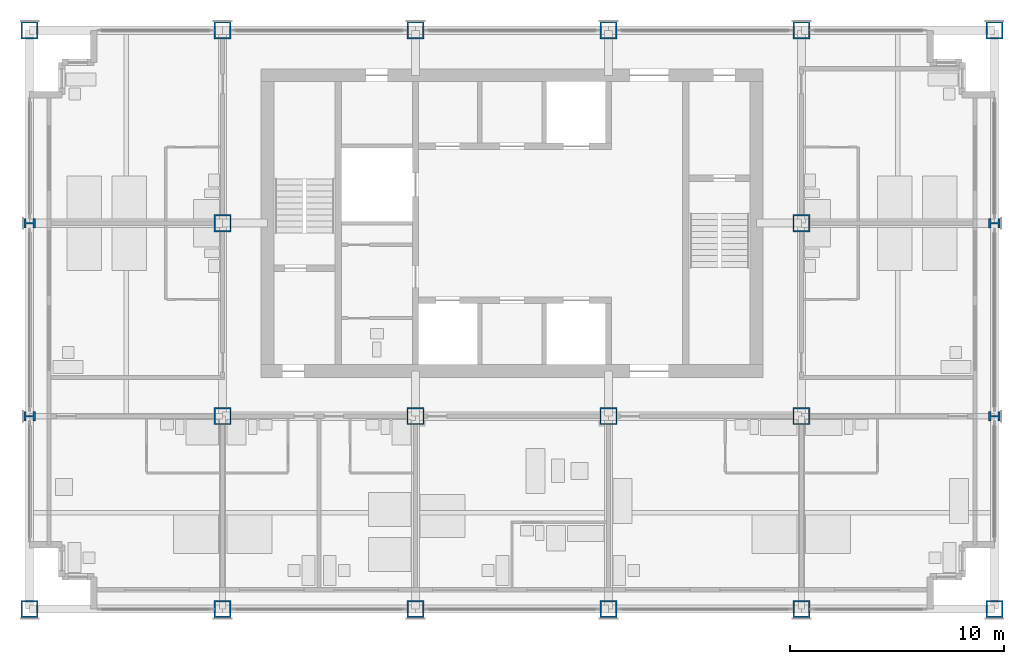
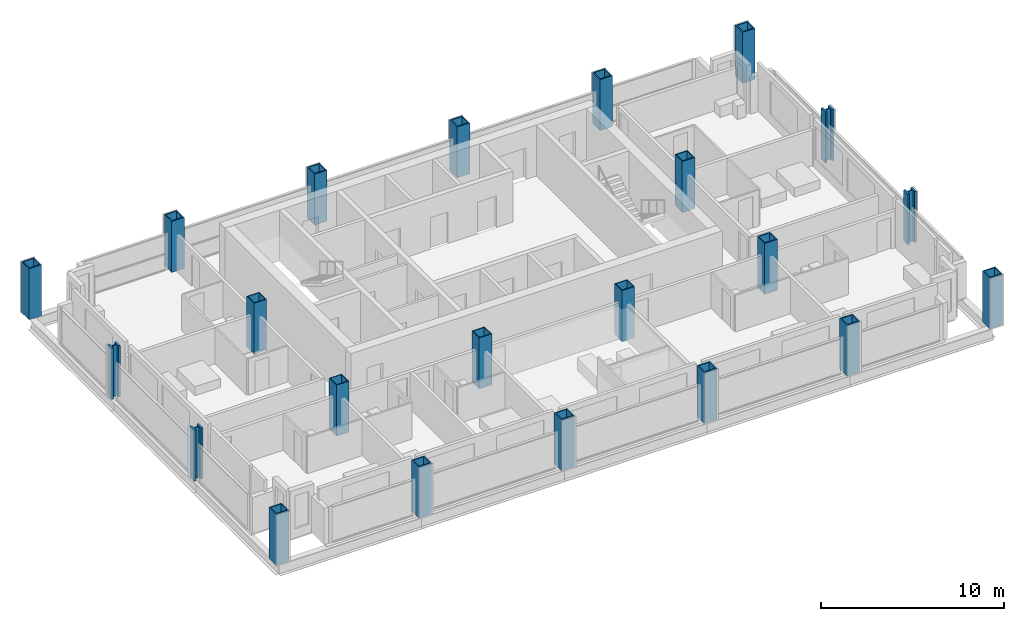
# One storey, part 1 of 13: 22 columns.
"""IFC4 building model written with IfcOpenShell, lengths in metres."""

from ifc_helpers import new_model, si_unit, direction, frame, origin, origin_2d, place, context, subcontext, project, spatial, hollow_rectangle, i_section, extrude, material, material_profile, profile_set, type_object, element, save


model = new_model("IFC4")

# Units and contexts
model_context = context("Model", 3, precision=1e-05, world=origin(), true_north=direction((0.0, 1.0)))
body_context = subcontext(model_context, "Body", "Model", "MODEL_VIEW")
ifc_project = project(units=[si_unit("LENGTHUNIT", "METRE"), si_unit("AREAUNIT", "SQUARE_METRE"), si_unit("VOLUMEUNIT", "CUBIC_METRE"), si_unit("PLANEANGLEUNIT", "RADIAN"), si_unit("MASSUNIT", "GRAM", prefix="KILO")], contexts=[model_context])

# Site, building, storey
site_placement = place(None, origin())
site = spatial("IfcSite", under=ifc_project, at=site_placement, CompositionType="ELEMENT")
building_placement = place(site_placement, origin())
building = spatial("IfcBuilding", under=site, at=building_placement, Name="Loomwork Tower", CompositionType="ELEMENT")
storey_placement = place(building_placement, frame((0.0, 0.0, 187.60009765625)))
storey = spatial("IfcBuildingStorey", under=building, at=storey_placement, Name="L51", CompositionType="ELEMENT", Elevation=187.60009765625)

# Columns
ifc_material_1 = material(Name="Steel ASTM A572 Grade 50 plate", Category="steel")
ifc_material_profile_1 = material_profile(ifc_material_1, hollow_rectangle(XDim=0.800048828125, YDim=0.800048828125, WallThickness=0.070068359375, at=origin_2d()), Name="BOX800x70")
ifc_profile_set_1 = profile_set([ifc_material_profile_1], Name="Steel ASTM A572 Grade 50 plate")
column_type_1 = type_object("IfcColumnType", Name="EXOSKELETON PIER BOX800x70", PredefinedType="COLUMN", material=ifc_profile_set_1)
for number, where, z_axis, x_axis, name in (
    (1, (0.0, 0.0, 0.0), (0.0, 0.0, 1.0), (1.0, 0.0, 0.0), "Exoskeleton Pier D/2 L51"),
    (2, (0.0, 27.0, 0.0), (0.0, 0.0, 1.0), (0.0, 1.0, 0.0), "Exoskeleton Pier G/2 L51"),
    (3, (9.0, 0.0, 0.0), (0.0, 0.0, 1.0), (1.0, 0.0, 0.0), "Exoskeleton Pier D/3 L51"),
    (4, (9.0, 27.0, 0.0), (0.0, 0.0, 1.0), (1.0, 0.0, 0.0), "Exoskeleton Pier G/3 L51"),
    (5, (18.0, 0.0, 0.0), (0.0, 0.0, 1.0), (1.0, 0.0, 0.0), "Exoskeleton Pier D/4 L51"),
    (6, (18.0, 27.0, 0.0), (0.0, 0.0, 1.0), (1.0, 0.0, 0.0), "Exoskeleton Pier G/4 L51"),
    (7, (27.0, 0.0, 0.0), (0.0, 0.0, 1.0), (1.0, 0.0, 0.0), "Exoskeleton Pier D/5 L51"),
    (8, (27.0, 27.0, 0.0), (0.0, 0.0, 1.0), (1.0, 0.0, 0.0), "Exoskeleton Pier G/5 L51"),
    (9, (36.0, 0.0, 0.0), (0.0, 0.0, 1.0), (1.0, 0.0, 0.0), "Exoskeleton Pier D/6 L51"),
    (10, (36.0, 27.0, 0.0), (0.0, 0.0, 1.0), (1.0, 0.0, 0.0), "Exoskeleton Pier G/6 L51"),
    (11, (45.0, 0.0, 0.0), (0.0, 0.0, 1.0), (1.0, 0.0, 0.0), "Exoskeleton Pier D/7 L51"),
    (12, (45.0, 27.0, 0.0), (0.0, 0.0, 1.0), (0.0, 1.0, 0.0), "Exoskeleton Pier G/7 L51"),
):
    element("IfcColumn", number, at=place(storey_placement, frame(where, z_axis=z_axis, x_axis=x_axis)), inside=storey, type_object=column_type_1, Name=name, PredefinedType="COLUMN", context=body_context, shape_type="SweptSolid", body=[
        extrude(hollow_rectangle(XDim=0.800048828125, YDim=0.800048828125, WallThickness=0.070068359375, at=origin_2d()), origin(), (0.0, 0.0, 1.0), 3.39990234375),
    ])
ifc_material_2 = material(Name="Steel ASTM A992", Category="steel")
ifc_material_profile_2 = material_profile(ifc_material_2, i_section(OverallWidth=0.449462890625, OverallDepth=0.548583984375, WebThickness=0.07177734375, FlangeThickness=0.11474609375, at=origin_2d()), Name="W14x665")
ifc_profile_set_2 = profile_set([ifc_material_profile_2], Name="Steel ASTM A992")
column_type_2 = type_object("IfcColumnType", Name="EXOSKELETON PIER W14x665", PredefinedType="COLUMN", material=ifc_profile_set_2)
for number, where, z_axis, x_axis, name in (
    (13, (0.0, 9.0, 0.0), (0.0, 0.0, 1.0), (0.0, 1.0, 0.0), "Exoskeleton Pier E/2 L51"),
    (14, (0.0, 18.0, 0.0), (0.0, 0.0, 1.0), (0.0, 1.0, 0.0), "Exoskeleton Pier F/2 L51"),
    (15, (45.0, 9.0, 0.0), (0.0, 0.0, 1.0), (0.0, 1.0, 0.0), "Exoskeleton Pier E/7 L51"),
    (16, (45.0, 18.0, 0.0), (0.0, 0.0, 1.0), (0.0, 1.0, 0.0), "Exoskeleton Pier F/7 L51"),
):
    element("IfcColumn", number, at=place(storey_placement, frame(where, z_axis=z_axis, x_axis=x_axis)), inside=storey, type_object=column_type_2, Name=name, PredefinedType="COLUMN", context=body_context, shape_type="SweptSolid", body=[
        extrude(i_section(OverallWidth=0.449462890625, OverallDepth=0.548583984375, WebThickness=0.07177734375, FlangeThickness=0.11474609375, at=origin_2d()), origin(), (0.0, 0.0, 1.0), 3.39990234375),
    ])
ifc_material_3 = material(Name="Steel ASTM A572 Grade 50 plate", Category="steel")
ifc_material_profile_3 = material_profile(ifc_material_3, hollow_rectangle(XDim=0.800048828125, YDim=0.800048828125, WallThickness=0.06005859375, at=origin_2d()), Name="BOX800x60")
ifc_profile_set_3 = profile_set([ifc_material_profile_3], Name="Steel ASTM A572 Grade 50 plate")
column_type_3 = type_object("IfcColumnType", Name="TOWER COLUMN BOX800x60", PredefinedType="COLUMN", material=ifc_profile_set_3)
for number, where, z_axis, x_axis, name in (
    (17, (9.0, 9.0, 0.0), (0.0, 0.0, 1.0), (1.0, 0.0, 0.0), "Tower Column E/3 L51"),
    (18, (9.0, 18.0, 0.0), (0.0, 0.0, 1.0), (1.0, 0.0, 0.0), "Tower Column F/3 L51"),
    (19, (18.0, 9.0, 0.0), (0.0, 0.0, 1.0), (1.0, 0.0, 0.0), "Tower Column E/4 L51"),
    (20, (27.0, 9.0, 0.0), (0.0, 0.0, 1.0), (1.0, 0.0, 0.0), "Tower Column E/5 L51"),
    (21, (36.0, 9.0, 0.0), (0.0, 0.0, 1.0), (0.0, 1.0, 0.0), "Tower Column E/6 L51"),
    (22, (36.0, 18.0, 0.0), (0.0, 0.0, 1.0), (0.0, 1.0, 0.0), "Tower Column F/6 L51"),
):
    element("IfcColumn", number, at=place(storey_placement, frame(where, z_axis=z_axis, x_axis=x_axis)), inside=storey, type_object=column_type_3, Name=name, PredefinedType="COLUMN", context=body_context, shape_type="SweptSolid", body=[
        extrude(hollow_rectangle(XDim=0.800048828125, YDim=0.800048828125, WallThickness=0.06005859375, at=origin_2d()), origin(), (0.0, 0.0, 1.0), 3.39990234375),
    ])

save(model, "model.ifc")
